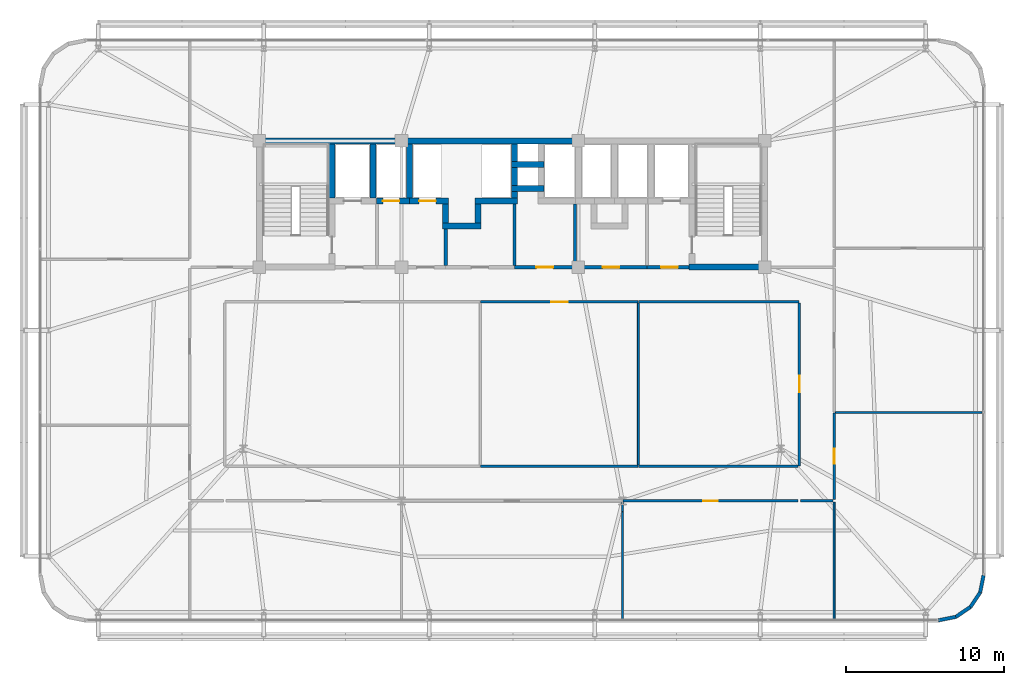
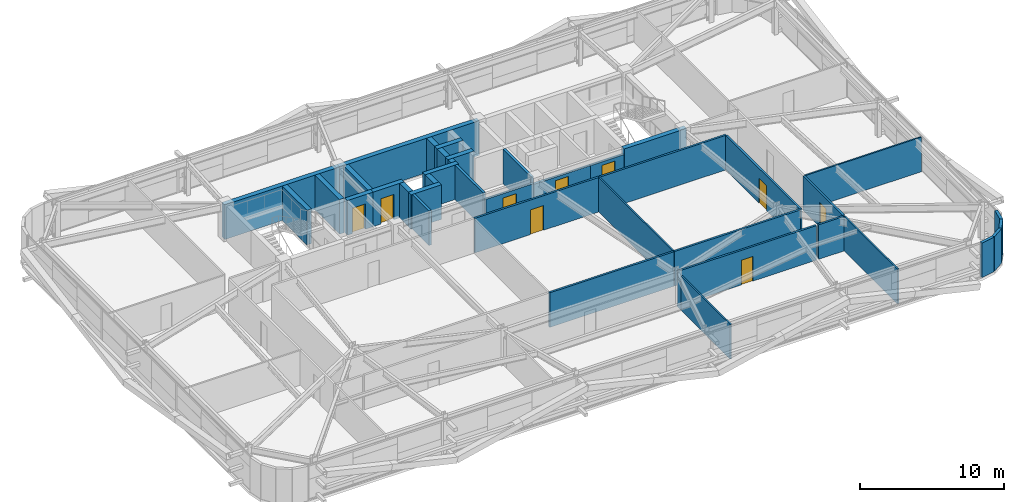
# One storey, part 40 of 44: 40 walls, 9 doors, 9 openings.
"""IFC4 building model written with IfcOpenShell, lengths in metres."""

from ifc_helpers import new_model, si_unit, direction, frame, frame_2d, origin, place, context, subcontext, project, spatial, rectangle, extrude, source, transform, mapped, material, layer, layer_set, type_object, element, fill, save


model = new_model("IFC4")

# Units and contexts
model_context = context("Model", 3, precision=1e-05, world=origin(), true_north=direction((0.0, 1.0)))
body_context = subcontext(model_context, "Body", "Model", "MODEL_VIEW")
ifc_project = project(units=[si_unit("LENGTHUNIT", "METRE"), si_unit("AREAUNIT", "SQUARE_METRE"), si_unit("VOLUMEUNIT", "CUBIC_METRE"), si_unit("PLANEANGLEUNIT", "RADIAN"), si_unit("MASSUNIT", "GRAM", prefix="KILO")], contexts=[model_context])

# Site, building, storey
site_placement = place(None, origin())
site = spatial("IfcSite", under=ifc_project, at=site_placement, CompositionType="ELEMENT")
building_placement = place(site_placement, origin())
building = spatial("IfcBuilding", under=site, at=building_placement, Name="Taldren Reach Tower", CompositionType="ELEMENT")
storey_placement = place(building_placement, frame((0.0, 0.0, 38.85009765625)))
storey = spatial("IfcBuildingStorey", under=building, at=storey_placement, Name="L11", CompositionType="ELEMENT", Elevation=38.85009765625)

# Walls
ifc_material_1 = material(Name="Pale Champagne Anodised Aluminium Cladding", Category="aluminium")
ifc_layer_1 = layer(ifc_material_1, 0.04, Name="Pale Champagne Anodised Aluminium Cladding", Category="aluminium")
ifc_material_2 = material(Name="Mineral Wool Acoustic Insulation", Category="insulation")
ifc_layer_2 = layer(ifc_material_2, 0.06, Name="Mineral Wool Acoustic Insulation", Category="insulation")
ifc_material_3 = material(Name="Steel Gr 350 (C350L0)", Category="steel")
ifc_layer_3 = layer(ifc_material_3, 0.12, Name="Steel Gr 350 (C350L0)", Category="steel")
ifc_layer_set_1 = layer_set([ifc_layer_1, ifc_layer_2, ifc_layer_3], Name="Pale Champagne Aluminium Cladding and Steel Gr 350 Stud Framing")
wall_type_1 = type_object("IfcWallType", Name="EW-CRN-220", PredefinedType="SOLIDWALL", material=ifc_layer_set_1)
shared_shape_1 = source(origin(), body_context, "Body", "SweptSolid", [
    extrude(rectangle(XDim=1.115966796875, YDim=0.219970703125, at=frame_2d((0.55810546875, 0.0))), origin(), (0.0, 0.0, 1.0), 2.929931640625),
])
for number, where, z_axis, x_axis, name in (
    (1, (62.0, 1.639892578125, 0.0), (0.0, 0.0, 1.0), (0.98077373103, 0.195148375659, 0.0), "Rounded-corner pale-metal facade wall L11-SE1"),
    (2, (63.094482421875, 1.857666015625, 0.0), (0.0, 0.0, 1.0), (0.83137650226, 0.555709556774, 0.0), "Rounded-corner pale-metal facade wall L11-SE2"),
    (3, (64.022216796875, 2.477783203125, 0.0), (0.0, 0.0, 1.0), (0.555709556774, 0.83137650226, 0.0), "Rounded-corner pale-metal facade wall L11-SE3"),
    (4, (64.642333984375, 3.405517578125, 0.0), (0.0, 0.0, 1.0), (0.195148375659, 0.98077373103, 0.0), "Rounded-corner pale-metal facade wall L11-SE4"),
):
    element("IfcWall", number, at=place(storey_placement, frame(where, z_axis=z_axis, x_axis=x_axis)), inside=storey, type_object=wall_type_1, Name=name, PredefinedType="SOLIDWALL", context=body_context, shape_type="MappedRepresentation", body=[
        mapped(shared_shape_1, transform((0.0, 0.0, 0.0), scale=1.0)),
    ])
ifc_material_4 = material(Name="Concrete S80 (80 MPa)", Category="concrete")
ifc_layer_4 = layer(ifc_material_4, 0.3798828125)
ifc_layer_set_2 = layer_set([ifc_layer_4], Name="Concrete S80 (80 MPa)")
wall_type_2 = type_object("IfcWallType", Name="IW-CORE-380", PredefinedType="SHEAR", material=ifc_layer_set_2)
shared_shape_2 = source(origin(), body_context, "Body", "SweptSolid", [
    extrude(rectangle(XDim=9.18994140625, YDim=0.3798828125, at=frame_2d((4.594970703125, 0.0))), origin(), (0.0, 0.0, 1.0), 2.929931640625),
])
wall_1_placement = place(storey_placement, frame((18.81005859375, 32.0, 0.0), z_axis=(0.0, 0.0, 1.0), x_axis=(1.0, 0.0, 0.0)))
element("IfcWall", 5, at=wall_1_placement, inside=storey, type_object=wall_type_2, Name="Rear Core Shear Wall W-CORE-L11-NORTH1", PredefinedType="SHEAR", context=body_context, shape_type="MappedRepresentation", body=[
    mapped(shared_shape_2, transform((0.0, 0.0, 0.0), scale=1.0)),
])
shared_shape_3 = source(origin(), body_context, "Body", "SweptSolid", [
    extrude(rectangle(XDim=11.199951171875, YDim=0.3798828125, at=frame_2d((5.60009765625, 0.0))), origin(), (0.0, 0.0, 1.0), 2.929931640625),
])
wall_2_placement = place(storey_placement, frame((28.0, 32.0, 0.0), z_axis=(0.0, 0.0, 1.0), x_axis=(1.0, 0.0, 0.0)))
element("IfcWall", 6, at=wall_2_placement, inside=storey, type_object=wall_type_2, Name="Rear Core Shear Wall W-CORE-L11-NORTH2", PredefinedType="SHEAR", context=body_context, shape_type="MappedRepresentation", body=[
    mapped(shared_shape_3, transform((0.0, 0.0, 0.0), scale=1.0)),
])
shared_shape_4 = source(origin(), body_context, "Body", "SweptSolid", [
    extrude(rectangle(XDim=3.420166015625, YDim=0.3798828125, at=frame_2d((1.7099609375, 0.0))), origin(), (0.0, 0.0, 1.0), 2.929931640625),
])
for number, where, z_axis, x_axis, name in (
    (7, (23.60009765625, 28.389892578125, 0.0), (0.0, 0.0, 1.0), (0.0, 1.0, 0.0), "Rear Core Shear Wall W-INT-L11-001"),
    (8, (26.199951171875, 28.389892578125, 0.0), (0.0, 0.0, 1.0), (0.0, 1.0, 0.0), "Rear Core Shear Wall W-INT-L11-005"),
    (9, (28.5, 28.389892578125, 0.0), (0.0, 0.0, 1.0), (0.0, 1.0, 0.0), "Rear Core Shear Wall W-INT-L11-029"),
):
    element("IfcWall", number, at=place(storey_placement, frame(where, z_axis=z_axis, x_axis=x_axis)), inside=storey, type_object=wall_type_2, Name=name, PredefinedType="SHEAR", context=body_context, shape_type="MappedRepresentation", body=[
        mapped(shared_shape_4, transform((0.0, 0.0, 0.0), scale=1.0)),
    ])
shared_shape_5 = source(origin(), body_context, "Body", "SweptSolid", [
    extrude(rectangle(XDim=4.97998046875, YDim=0.3798828125, at=frame_2d((2.489990234375, 0.0))), origin(), (0.0, 0.0, 1.0), 2.929931640625),
])
wall_3_placement = place(storey_placement, frame((46.2099609375, 24.0, 0.0), z_axis=(0.0, 0.0, 1.0), x_axis=(1.0, 0.0, 0.0)))
element("IfcWall", 10, at=wall_3_placement, inside=storey, type_object=wall_type_2, Name="Rear Core Shear Wall W-INT-L11-010", PredefinedType="SHEAR", context=body_context, shape_type="MappedRepresentation", body=[
    mapped(shared_shape_5, transform((0.0, 0.0, 0.0), scale=1.0)),
])
ifc_material_5 = material(Name="Concrete S50 (50 MPa)", Category="concrete")
ifc_layer_5 = layer(ifc_material_5, 0.199951171875)
ifc_layer_set_3 = layer_set([ifc_layer_5], Name="Concrete S50 (50 MPa)")
wall_type_3 = type_object("IfcWallType", Name="IW-CORE-200", PredefinedType="SOLIDWALL", material=ifc_layer_set_3)
shared_shape_6 = source(origin(), body_context, "Body", "SweptSolid", [
    extrude(rectangle(XDim=3.909912109375, YDim=0.199951171875, at=frame_2d((1.955078125, 0.0))), origin(), (0.0, 0.0, 1.0), 2.929931640625),
])
for number, where, z_axis, x_axis, name in (
    (11, (35.14990234375, 28.010009765625, 0.0), (0.0, 0.0, 1.0), (0.0, -1.0, 0.0), "Rear Core Shear Wall W-INT-L11-042"),
    (12, (39.0, 28.010009765625, 0.0), (0.0, 0.0, 1.0), (0.0, -1.0, 0.0), "Rear Core Shear Wall W-INT-L11-044"),
):
    element("IfcWall", number, at=place(storey_placement, frame(where, z_axis=z_axis, x_axis=x_axis)), inside=storey, type_object=wall_type_3, Name=name, PredefinedType="SOLIDWALL", context=body_context, shape_type="MappedRepresentation", body=[
        mapped(shared_shape_6, transform((0.0, 0.0, 0.0), scale=1.0)),
    ])

# Wall, opening, door
shared_shape_7 = source(origin(), body_context, "Body", "SweptSolid", [
    extrude(rectangle(XDim=2.659912109375, YDim=0.199951171875, at=frame_2d((1.330078125, 0.0))), origin(), (0.0, 0.0, 1.0), 2.39697265625),
])
wall_4_placement = place(storey_placement, frame((43.550048828125, 24.0, 0.0), z_axis=(0.0, 0.0, 1.0), x_axis=(1.0, 0.0, 0.0)))
wall_4 = element("IfcWall", 13, at=wall_4_placement, inside=storey, type_object=wall_type_3, Name="Rear Core Shear Wall W-INT-L11-014", PredefinedType="SOLIDWALL", context=body_context, shape_type="MappedRepresentation", body=[
    mapped(shared_shape_7, transform((0.0, 0.0, 0.0), scale=1.0)),
])
shared_shape_8 = source(origin(), body_context, "Body", "SweptSolid", [
    extrude(rectangle(XDim=1.050048828125, YDim=2.10009765625, at=frame_2d((0.52490234375, 1.050048828125))), frame((0.0, 0.10986328125, 0.0), z_axis=(0.0, -1.0, 0.0), x_axis=(1.0, 0.0, 0.0)), (0.0, 0.0, 1.0), 0.219970703125),
])
opening_1_placement = place(wall_4_placement, frame((0.89990234375, 0.0, 0.0)))
opening_1 = element("IfcOpeningElement", 14, at=opening_1_placement, cuts=wall_4, Name="Opening DF-105", PredefinedType="OPENING", context=body_context, shape_type="MappedRepresentation", body=[
    mapped(shared_shape_8, transform((0.0, 0.0, 0.0), scale=1.0)),
])
ifc_material_6 = material(Name="Fire-Rated Care and Stair Exit Door")
door_type_1 = type_object("IfcDoorType", Name="ID-FIRE-105", OperationType="NOTDEFINED", PredefinedType="DOOR", material=ifc_material_6)
shared_shape_9 = source(origin(), body_context, "Body", "SweptSolid", [
    extrude(rectangle(XDim=1.050048828125, YDim=2.10009765625, at=frame_2d((0.52490234375, 1.050048828125))), frame((0.0, 0.02490234375, 0.0), z_axis=(0.0, -1.0, 0.0), x_axis=(1.0, 0.0, 0.0)), (0.0, 0.0, 1.0), 0.050048828125),
])
door_1_placement = place(opening_1_placement, origin())
door_1 = element("IfcDoor", 15, at=door_1_placement, inside=storey, type_object=door_type_1, Name="Interior Door DR-L11-004", OperationType="SINGLE_SWING_LEFT", OverallHeight=2.10009765625, OverallWidth=1.050048828125, PredefinedType="DOOR", context=body_context, shape_type="MappedRepresentation", body=[
    mapped(shared_shape_9, transform((0.0, 0.0, 0.0), scale=1.0)),
])
fill(opening_1, door_1)

# Walls
shared_shape_10 = source(origin(), body_context, "Body", "SweptSolid", [
    extrude(rectangle(XDim=2.080078125, YDim=0.3798828125, at=frame_2d((1.0400390625, 0.0))), origin(), (0.0, 0.0, 1.0), 2.929931640625),
])
for number, where, z_axis, x_axis, name in (
    (16, (34.9599609375, 30.5, 0.0), (0.0, 0.0, 1.0), (1.0, 0.0, 0.0), "Rear Core Shear Wall W-INT-L11-015"),
    (17, (34.9599609375, 29.0, 0.0), (0.0, 0.0, 1.0), (1.0, 0.0, 0.0), "Rear Core Shear Wall W-INT-L11-020"),
):
    element("IfcWall", number, at=place(storey_placement, frame(where, z_axis=z_axis, x_axis=x_axis)), inside=storey, type_object=wall_type_2, Name=name, PredefinedType="SHEAR", context=body_context, shape_type="MappedRepresentation", body=[
        mapped(shared_shape_10, transform((0.0, 0.0, 0.0), scale=1.0)),
    ])
shared_shape_11 = source(origin(), body_context, "Body", "SweptSolid", [
    extrude(rectangle(XDim=1.1201171875, YDim=0.3798828125, at=frame_2d((0.56005859375, 0.0))), origin(), (0.0, 0.0, 1.0), 2.929931640625),
])
for number, where, z_axis, x_axis, name in (
    (18, (35.14990234375, 31.81005859375, 0.0), (0.0, 0.0, 1.0), (0.0, -1.0, 0.0), "Rear Core Shear Wall W-INT-L11-016"),
    (19, (35.14990234375, 30.31005859375, 0.0), (0.0, 0.0, 1.0), (0.0, -1.0, 0.0), "Rear Core Shear Wall W-INT-L11-018"),
):
    element("IfcWall", number, at=place(storey_placement, frame(where, z_axis=z_axis, x_axis=x_axis)), inside=storey, type_object=wall_type_2, Name=name, PredefinedType="SHEAR", context=body_context, shape_type="MappedRepresentation", body=[
        mapped(shared_shape_11, transform((0.0, 0.0, 0.0), scale=1.0)),
    ])
shared_shape_12 = source(origin(), body_context, "Body", "SweptSolid", [
    extrude(rectangle(XDim=1.219970703125, YDim=0.3798828125, at=frame_2d((0.60986328125, 0.0))), origin(), (0.0, 0.0, 1.0), 2.929931640625),
])
for number, where, z_axis, x_axis, name in (
    (20, (30.800048828125, 28.010009765625, 0.0), (0.0, 0.0, 1.0), (0.0, -1.0, 0.0), "Rear Core Shear Wall W-INT-L11-021"),
    (21, (32.85009765625, 26.7900390625, 0.0), (0.0, 0.0, 1.0), (0.0, 1.0, 0.0), "Rear Core Shear Wall W-INT-L11-023"),
):
    element("IfcWall", number, at=place(storey_placement, frame(where, z_axis=z_axis, x_axis=x_axis)), inside=storey, type_object=wall_type_2, Name=name, PredefinedType="SHEAR", context=body_context, shape_type="MappedRepresentation", body=[
        mapped(shared_shape_12, transform((0.0, 0.0, 0.0), scale=1.0)),
    ])
shared_shape_13 = source(origin(), body_context, "Body", "SweptSolid", [
    extrude(rectangle(XDim=2.429931640625, YDim=0.3798828125, at=frame_2d((1.21484375, 0.0))), origin(), (0.0, 0.0, 1.0), 2.929931640625),
])
wall_5_placement = place(storey_placement, frame((30.610107421875, 26.60009765625, 0.0), z_axis=(0.0, 0.0, 1.0), x_axis=(1.0, 0.0, 0.0)))
element("IfcWall", 22, at=wall_5_placement, inside=storey, type_object=wall_type_2, Name="Rear Core Shear Wall W-INT-L11-022", PredefinedType="SHEAR", context=body_context, shape_type="MappedRepresentation", body=[
    mapped(shared_shape_13, transform((0.0, 0.0, 0.0), scale=1.0)),
])

# Wall, opening, door
shared_shape_14 = source(origin(), body_context, "Body", "SweptSolid", [
    extrude(rectangle(XDim=2.070068359375, YDim=0.3798828125, at=frame_2d((1.03515625, 0.0))), origin(), (0.0, 0.0, 1.0), 2.929931640625),
])
wall_6_placement = place(storey_placement, frame((26.429931640625, 28.199951171875, 0.0), z_axis=(0.0, 0.0, 1.0), x_axis=(1.0, 0.0, 0.0)))
wall_6 = element("IfcWall", 23, at=wall_6_placement, inside=storey, type_object=wall_type_2, Name="Rear Core Shear Wall W-INT-L11-030", PredefinedType="SHEAR", context=body_context, shape_type="MappedRepresentation", body=[
    mapped(shared_shape_14, transform((0.0, 0.0, 0.0), scale=1.0)),
])
shared_shape_15 = source(origin(), body_context, "Body", "SweptSolid", [
    extrude(rectangle(XDim=1.050048828125, YDim=2.14990234375, at=frame_2d((0.52490234375, 1.074951171875))), frame((0.0, 0.199951171875, 0.0), z_axis=(0.0, -1.0, 0.0), x_axis=(1.0, 0.0, 0.0)), (0.0, 0.0, 1.0), 0.39990234375),
])
opening_2_placement = place(wall_6_placement, frame((0.39501953125, 0.0, 0.0)))
opening_2 = element("IfcOpeningElement", 24, at=opening_2_placement, cuts=wall_6, Name="Opening LD-PL1", PredefinedType="OPENING", context=body_context, shape_type="MappedRepresentation", body=[
    mapped(shared_shape_15, transform((0.0, 0.0, 0.0), scale=1.0)),
])
ifc_material_7 = material(Name="Stainless Steel Gr 316 Passenger Lift Landing Door", Category="steel")
door_type_2 = type_object("IfcDoorType", Name="LD-PAS-105", OperationType="SLIDING_TO_LEFT", PredefinedType="DOOR", material=ifc_material_7)
shared_shape_16 = source(origin(), body_context, "Body", "SweptSolid", [
    extrude(rectangle(XDim=1.050048828125, YDim=2.14990234375, at=frame_2d((0.52490234375, 1.074951171875))), frame((0.0, 0.02490234375, 0.0), z_axis=(0.0, -1.0, 0.0), x_axis=(1.0, 0.0, 0.0)), (0.0, 0.0, 1.0), 0.050048828125),
])
door_2_placement = place(opening_2_placement, origin())
door_2 = element("IfcDoor", 25, at=door_2_placement, inside=storey, type_object=door_type_2, Name="Lift Landing Door LD-PL1-L11", OperationType="SLIDING_TO_LEFT", OverallHeight=2.14990234375, OverallWidth=1.050048828125, PredefinedType="DOOR", context=body_context, shape_type="MappedRepresentation", body=[
    mapped(shared_shape_16, transform((0.0, 0.0, 0.0), scale=1.0)),
])
fill(opening_2, door_2)

shared_shape_17 = source(origin(), body_context, "Body", "SweptSolid", [
    extrude(rectangle(XDim=2.489990234375, YDim=0.3798828125, at=frame_2d((1.2451171875, 0.0))), origin(), (0.0, 0.0, 1.0), 2.929931640625),
])
wall_7_placement = place(storey_placement, frame((28.5, 28.199951171875, 0.0), z_axis=(0.0, 0.0, 1.0), x_axis=(1.0, 0.0, 0.0)))
wall_7 = element("IfcWall", 26, at=wall_7_placement, inside=storey, type_object=wall_type_2, Name="Rear Core Shear Wall W-INT-L11-031", PredefinedType="SHEAR", context=body_context, shape_type="MappedRepresentation", body=[
    mapped(shared_shape_17, transform((0.0, 0.0, 0.0), scale=1.0)),
])
opening_3_placement = place(wall_7_placement, frame((0.625, 0.0, 0.0)))
opening_3 = element("IfcOpeningElement", 27, at=opening_3_placement, cuts=wall_7, Name="Opening LD-PL2", PredefinedType="OPENING", context=body_context, shape_type="MappedRepresentation", body=[
    mapped(shared_shape_15, transform((0.0, 0.0, 0.0), scale=1.0)),
])
door_3_placement = place(opening_3_placement, origin())
door_3 = element("IfcDoor", 28, at=door_3_placement, inside=storey, type_object=door_type_2, Name="Lift Landing Door LD-PL2-L11", OperationType="SLIDING_TO_LEFT", OverallHeight=2.14990234375, OverallWidth=1.050048828125, PredefinedType="DOOR", context=body_context, shape_type="MappedRepresentation", body=[
    mapped(shared_shape_16, transform((0.0, 0.0, 0.0), scale=1.0)),
])
fill(opening_3, door_3)

# Walls
shared_shape_18 = source(origin(), body_context, "Body", "SweptSolid", [
    extrude(rectangle(XDim=2.309814453125, YDim=0.199951171875, at=frame_2d((1.15478515625, 0.0))), origin(), (0.0, 0.0, 1.0), 2.929931640625),
])
wall_8_placement = place(storey_placement, frame((30.800048828125, 26.409912109375, 0.0), z_axis=(0.0, 0.0, 1.0), x_axis=(0.0, -1.0, 0.0)))
element("IfcWall", 29, at=wall_8_placement, inside=storey, type_object=wall_type_3, Name="Rear Core Shear Wall W-INT-L11-032", PredefinedType="SOLIDWALL", context=body_context, shape_type="MappedRepresentation", body=[
    mapped(shared_shape_18, transform((0.0, 0.0, 0.0), scale=1.0)),
])
shared_shape_19 = source(origin(), body_context, "Body", "SweptSolid", [
    extrude(rectangle(XDim=2.68017578125, YDim=0.3798828125, at=frame_2d((1.340087890625, 0.0))), origin(), (0.0, 0.0, 1.0), 2.929931640625),
])
wall_9_placement = place(storey_placement, frame((32.659912109375, 28.199951171875, 0.0), z_axis=(0.0, 0.0, 1.0), x_axis=(1.0, 0.0, 0.0)))
element("IfcWall", 30, at=wall_9_placement, inside=storey, type_object=wall_type_2, Name="Rear Core Shear Wall W-INT-L11-034", PredefinedType="SHEAR", context=body_context, shape_type="MappedRepresentation", body=[
    mapped(shared_shape_19, transform((0.0, 0.0, 0.0), scale=1.0)),
])
shared_shape_20 = source(origin(), body_context, "Body", "SweptSolid", [
    extrude(rectangle(XDim=0.420166015625, YDim=0.3798828125, at=frame_2d((0.2099609375, 0.0))), origin(), (0.0, 0.0, 1.0), 2.929931640625),
])
wall_10_placement = place(storey_placement, frame((35.14990234375, 28.389892578125, 0.0), z_axis=(0.0, 0.0, 1.0), x_axis=(0.0, 1.0, 0.0)))
element("IfcWall", 31, at=wall_10_placement, inside=storey, type_object=wall_type_2, Name="Rear Core Shear Wall W-INT-L11-035", PredefinedType="SHEAR", context=body_context, shape_type="MappedRepresentation", body=[
    mapped(shared_shape_20, transform((0.0, 0.0, 0.0), scale=1.0)),
])

# Wall, opening, door
ifc_material_8 = material(Name="Fire-Rated Acoustic Plasterboard Stud Wall", Category="gypsum")
ifc_layer_6 = layer(ifc_material_8, 0.159912109375)
ifc_layer_set_4 = layer_set([ifc_layer_6], Name="Fire-Rated Acoustic Plasterboard Stud Wall")
wall_type_4 = type_object("IfcWallType", Name="IW-FIRE-160", PredefinedType="PARTITIONING", material=ifc_layer_set_4)
shared_shape_21 = source(origin(), body_context, "Body", "SweptSolid", [
    extrude(rectangle(XDim=10.2998046875, YDim=0.159912109375, at=frame_2d((5.14990234375, 0.0))), origin(), (0.0, 0.0, 1.0), 2.929931640625),
])
wall_11_placement = place(storey_placement, frame((53.199951171875, 11.420166015625, 0.0), z_axis=(0.0, 0.0, 1.0), x_axis=(0.0, 1.0, 0.0)))
wall_11 = element("IfcWall", 32, at=wall_11_placement, inside=storey, type_object=wall_type_4, Name="Interior Partition Wall W-INT-L11-050", PredefinedType="PARTITIONING", context=body_context, shape_type="MappedRepresentation", body=[
    mapped(shared_shape_21, transform((0.0, 0.0, 0.0), scale=1.0)),
])
shared_shape_22 = source(origin(), body_context, "Body", "SweptSolid", [
    extrude(rectangle(XDim=1.050048828125, YDim=2.10009765625, at=frame_2d((0.52490234375, 1.050048828125))), frame((0.0, 0.08984375, 0.0), z_axis=(0.0, -1.0, 0.0), x_axis=(1.0, 0.0, 0.0)), (0.0, 0.0, 1.0), 0.179931640625),
])
opening_4_placement = place(wall_11_placement, frame((4.65478515625, 0.0, 0.0)))
opening_4 = element("IfcOpeningElement", 33, at=opening_4_placement, cuts=wall_11, Name="Opening DF-105", PredefinedType="OPENING", context=body_context, shape_type="MappedRepresentation", body=[
    mapped(shared_shape_22, transform((0.0, 0.0, 0.0), scale=1.0)),
])
door_4_placement = place(opening_4_placement, origin())
door_4 = element("IfcDoor", 34, at=door_4_placement, inside=storey, type_object=door_type_1, Name="Interior Door DR-L11-011", OperationType="SINGLE_SWING_RIGHT", OverallHeight=2.10009765625, OverallWidth=1.050048828125, PredefinedType="DOOR", context=body_context, shape_type="MappedRepresentation", body=[
    mapped(shared_shape_9, transform((0.0, 0.0, 0.0), scale=1.0)),
])
fill(opening_4, door_4)

# Wall
shared_shape_23 = source(origin(), body_context, "Body", "SweptSolid", [
    extrude(rectangle(XDim=2.0400390625, YDim=0.159912109375, at=frame_2d((1.02001953125, 0.0))), origin(), (0.0, 0.0, 1.0), 2.929931640625),
])
wall_12_placement = place(storey_placement, frame((55.320068359375, 9.199951171875, 0.0), z_axis=(0.0, 0.0, 1.0), x_axis=(-1.0, 0.0, 0.0)))
element("IfcWall", 35, at=wall_12_placement, inside=storey, type_object=wall_type_4, Name="Interior Partition Wall W-INT-L11-053", PredefinedType="PARTITIONING", context=body_context, shape_type="MappedRepresentation", body=[
    mapped(shared_shape_23, transform((0.0, 0.0, 0.0), scale=1.0)),
])

# Wall, opening, door
shared_shape_24 = source(origin(), body_context, "Body", "SweptSolid", [
    extrude(rectangle(XDim=11.099853515625, YDim=0.159912109375, at=frame_2d((5.5498046875, 0.0))), origin(), (0.0, 0.0, 1.0), 2.929931640625),
])
wall_13_placement = place(storey_placement, frame((53.1201171875, 9.199951171875, 0.0), z_axis=(0.0, 0.0, 1.0), x_axis=(-1.0, 0.0, 0.0)))
wall_13 = element("IfcWall", 36, at=wall_13_placement, inside=storey, type_object=wall_type_4, Name="Interior Partition Wall W-INT-L11-065", PredefinedType="PARTITIONING", context=body_context, shape_type="MappedRepresentation", body=[
    mapped(shared_shape_24, transform((0.0, 0.0, 0.0), scale=1.0)),
])
shared_shape_25 = source(origin(), body_context, "Body", "SweptSolid", [
    extrude(rectangle(XDim=0.919921875, YDim=2.10009765625, at=frame_2d((0.4599609375, 1.050048828125))), frame((0.0, 0.08984375, 0.0), z_axis=(0.0, -1.0, 0.0), x_axis=(1.0, 0.0, 0.0)), (0.0, 0.0, 1.0), 0.179931640625),
])
opening_5_placement = place(wall_13_placement, frame((5.08984375, 0.0, 0.0)))
opening_5 = element("IfcOpeningElement", 37, at=opening_5_placement, cuts=wall_13, Name="Opening DI-092", PredefinedType="OPENING", context=body_context, shape_type="MappedRepresentation", body=[
    mapped(shared_shape_25, transform((0.0, 0.0, 0.0), scale=1.0)),
])
ifc_material_9 = material(Name="Solid-Core Timber Suite Door", Category="wood")
door_type_3 = type_object("IfcDoorType", Name="ID-INT-092", OperationType="NOTDEFINED", PredefinedType="DOOR", material=ifc_material_9)
shared_shape_26 = source(origin(), body_context, "Body", "SweptSolid", [
    extrude(rectangle(XDim=0.919921875, YDim=2.10009765625, at=frame_2d((0.4599609375, 1.050048828125))), frame((0.0, 0.02490234375, 0.0), z_axis=(0.0, -1.0, 0.0), x_axis=(1.0, 0.0, 0.0)), (0.0, 0.0, 1.0), 0.050048828125),
])
door_5_placement = place(opening_5_placement, origin())
door_5 = element("IfcDoor", 38, at=door_5_placement, inside=storey, type_object=door_type_3, Name="Interior Door DR-L11-019", OperationType="SINGLE_SWING_RIGHT", OverallHeight=2.10009765625, OverallWidth=0.919921875, PredefinedType="DOOR", context=body_context, shape_type="MappedRepresentation", body=[
    mapped(shared_shape_26, transform((0.0, 0.0, 0.0), scale=1.0)),
])
fill(opening_5, door_5)

shared_shape_27 = source(origin(), body_context, "Body", "SweptSolid", [
    extrude(rectangle(XDim=3.85009765625, YDim=0.199951171875, at=frame_2d((1.925048828125, 0.0))), origin(), (0.0, 0.0, 1.0), 2.469970703125),
])
wall_14_placement = place(storey_placement, frame((39.0, 24.0, 0.0), z_axis=(0.0, 0.0, 1.0), x_axis=(-1.0, 0.0, 0.0)))
wall_14 = element("IfcWall", 39, at=wall_14_placement, inside=storey, type_object=wall_type_3, Name="Rear Core Shear Wall W-INT-L11-045", PredefinedType="SOLIDWALL", context=body_context, shape_type="MappedRepresentation", body=[
    mapped(shared_shape_27, transform((0.0, 0.0, 0.0), scale=1.0)),
])
opening_6_placement = place(wall_14_placement, frame((1.39990234375, 0.0, 0.0)))
opening_6 = element("IfcOpeningElement", 40, at=opening_6_placement, cuts=wall_14, Name="Opening DF-105", PredefinedType="OPENING", context=body_context, shape_type="MappedRepresentation", body=[
    mapped(shared_shape_8, transform((0.0, 0.0, 0.0), scale=1.0)),
])
door_6_placement = place(opening_6_placement, frame((1.050048828125, 0.0, 0.0), z_axis=(0.0, 0.0, 1.0), x_axis=(-1.0, 0.0, 0.0)))
door_6 = element("IfcDoor", 41, at=door_6_placement, inside=storey, type_object=door_type_1, Name="Interior Door DR-L11-007", OperationType="SINGLE_SWING_LEFT", OverallHeight=2.10009765625, OverallWidth=1.050048828125, PredefinedType="DOOR", context=body_context, shape_type="MappedRepresentation", body=[
    mapped(shared_shape_9, transform((0.0, 0.0, 0.0), scale=1.0)),
])
fill(opening_6, door_6)

shared_shape_28 = source(origin(), body_context, "Body", "SweptSolid", [
    extrude(rectangle(XDim=4.550048828125, YDim=0.199951171875, at=frame_2d((2.27490234375, 0.0))), origin(), (0.0, 0.0, 1.0), 2.39697265625),
])
wall_15_placement = place(storey_placement, frame((43.550048828125, 24.0, 0.0), z_axis=(0.0, 0.0, 1.0), x_axis=(-1.0, 0.0, 0.0)))
wall_15 = element("IfcWall", 42, at=wall_15_placement, inside=storey, type_object=wall_type_3, Name="Rear Core Shear Wall W-INT-L11-046", PredefinedType="SOLIDWALL", context=body_context, shape_type="MappedRepresentation", body=[
    mapped(shared_shape_28, transform((0.0, 0.0, 0.0), scale=1.0)),
])
opening_7_placement = place(wall_15_placement, frame((1.75, 0.0, 0.0)))
opening_7 = element("IfcOpeningElement", 43, at=opening_7_placement, cuts=wall_15, Name="Opening DF-105", PredefinedType="OPENING", context=body_context, shape_type="MappedRepresentation", body=[
    mapped(shared_shape_8, transform((0.0, 0.0, 0.0), scale=1.0)),
])
door_7_placement = place(opening_7_placement, frame((1.050048828125, 0.0, 0.0), z_axis=(0.0, 0.0, 1.0), x_axis=(-1.0, 0.0, 0.0)))
door_7 = element("IfcDoor", 44, at=door_7_placement, inside=storey, type_object=door_type_1, Name="Interior Door DR-L11-008", OperationType="SINGLE_SWING_RIGHT", OverallHeight=2.10009765625, OverallWidth=1.050048828125, PredefinedType="DOOR", context=body_context, shape_type="MappedRepresentation", body=[
    mapped(shared_shape_9, transform((0.0, 0.0, 0.0), scale=1.0)),
])
fill(opening_7, door_7)

# Wall
ifc_material_10 = material(Name="Insulated Residential Stud Partition", Category="gypsum")
ifc_layer_7 = layer(ifc_material_10, 0.1201171875)
ifc_layer_set_5 = layer_set([ifc_layer_7], Name="Insulated Residential Stud Partition")
wall_type_5 = type_object("IfcWallType", Name="IW-PART-120", PredefinedType="PARTITIONING", material=ifc_layer_set_5)
shared_shape_29 = source(origin(), body_context, "Body", "SweptSolid", [
    extrude(rectangle(XDim=9.2900390625, YDim=0.1201171875, at=frame_2d((4.64501953125, 0.0))), origin(), (0.0, 0.0, 1.0), 2.929931640625),
])
wall_16_placement = place(storey_placement, frame((55.47998046875, 14.800048828125, 0.0), z_axis=(0.0, 0.0, 1.0), x_axis=(1.0, 0.0, 0.0)))
element("IfcWall", 45, at=wall_16_placement, inside=storey, type_object=wall_type_5, Name="Interior Partition Wall W-INT-L11-075", PredefinedType="PARTITIONING", context=body_context, shape_type="MappedRepresentation", body=[
    mapped(shared_shape_29, transform((0.0, 0.0, 0.0), scale=1.0)),
])

# Wall, opening, door
shared_shape_30 = source(origin(), body_context, "Body", "SweptSolid", [
    extrude(rectangle(XDim=9.95947265625, YDim=0.159912109375, at=frame_2d((4.979736328125, 0.0))), origin(), (0.0, 0.0, 1.0), 2.929931640625),
])
wall_17_placement = place(storey_placement, frame((42.979736328125, 21.800048828125, 0.0), z_axis=(0.0, 0.0, 1.0), x_axis=(-1.0, 0.0, 0.0)))
wall_17 = element("IfcWall", 46, at=wall_17_placement, inside=storey, type_object=wall_type_4, Name="Interior Partition Wall W-INT-L11-049", PredefinedType="PARTITIONING", context=body_context, shape_type="MappedRepresentation", body=[
    mapped(shared_shape_30, transform((0.0, 0.0, 0.0), scale=1.0)),
])
opening_8_placement = place(wall_17_placement, frame((4.454833984375, 0.0, 0.0)))
opening_8 = element("IfcOpeningElement", 47, at=opening_8_placement, cuts=wall_17, Name="Opening DF-105", PredefinedType="OPENING", context=body_context, shape_type="MappedRepresentation", body=[
    mapped(shared_shape_22, transform((0.0, 0.0, 0.0), scale=1.0)),
])
door_8_placement = place(opening_8_placement, origin())
door_8 = element("IfcDoor", 48, at=door_8_placement, inside=storey, type_object=door_type_1, Name="Interior Door DR-L11-010", OperationType="SINGLE_SWING_LEFT", OverallHeight=2.10009765625, OverallWidth=1.050048828125, PredefinedType="DOOR", context=body_context, shape_type="MappedRepresentation", body=[
    mapped(shared_shape_9, transform((0.0, 0.0, 0.0), scale=1.0)),
])
fill(opening_8, door_8)

# Walls
wall_18_placement = place(storey_placement, frame((33.020263671875, 11.39990234375, 0.0), z_axis=(0.0, 0.0, 1.0), x_axis=(1.0, 0.0, 0.0)))
element("IfcWall", 49, at=wall_18_placement, inside=storey, type_object=wall_type_4, Name="Interior Partition Wall W-INT-L11-061", PredefinedType="PARTITIONING", context=body_context, shape_type="MappedRepresentation", body=[
    mapped(shared_shape_30, transform((0.0, 0.0, 0.0), scale=1.0)),
])
shared_shape_31 = source(origin(), body_context, "Body", "SweptSolid", [
    extrude(rectangle(XDim=10.239990234375, YDim=0.1201171875, at=frame_2d((5.1201171875, 0.0))), origin(), (0.0, 0.0, 1.0), 2.929931640625),
])
wall_19_placement = place(storey_placement, frame((43.0, 21.719970703125, 0.0), z_axis=(0.0, 0.0, 1.0), x_axis=(0.0, -1.0, 0.0)))
element("IfcWall", 50, at=wall_19_placement, inside=storey, type_object=wall_type_5, Name="Interior Partition Wall W-INT-L11-067", PredefinedType="PARTITIONING", context=body_context, shape_type="MappedRepresentation", body=[
    mapped(shared_shape_31, transform((0.0, 0.0, 0.0), scale=1.0)),
])
shared_shape_32 = source(origin(), body_context, "Body", "SweptSolid", [
    extrude(rectangle(XDim=10.159423828125, YDim=0.159912109375, at=frame_2d((5.07958984375, 0.0))), origin(), (0.0, 0.0, 1.0), 2.929931640625),
])
wall_20_placement = place(storey_placement, frame((53.1796875, 21.800048828125, 0.0), z_axis=(0.0, 0.0, 1.0), x_axis=(-1.0, 0.0, 0.0)))
element("IfcWall", 51, at=wall_20_placement, inside=storey, type_object=wall_type_4, Name="Interior Partition Wall W-INT-L11-051", PredefinedType="PARTITIONING", context=body_context, shape_type="MappedRepresentation", body=[
    mapped(shared_shape_32, transform((0.0, 0.0, 0.0), scale=1.0)),
])

# Wall, opening, door
shared_shape_33 = source(origin(), body_context, "Body", "SweptSolid", [
    extrude(rectangle(XDim=5.499755859375, YDim=0.159912109375, at=frame_2d((2.75, 0.0))), origin(), (0.0, 0.0, 1.0), 2.929931640625),
])
wall_21_placement = place(storey_placement, frame((55.39990234375, 14.77978515625, 0.0), z_axis=(0.0, 0.0, 1.0), x_axis=(0.0, -1.0, 0.0)))
wall_21 = element("IfcWall", 52, at=wall_21_placement, inside=storey, type_object=wall_type_4, Name="Interior Partition Wall W-INT-L11-056", PredefinedType="PARTITIONING", context=body_context, shape_type="MappedRepresentation", body=[
    mapped(shared_shape_33, transform((0.0, 0.0, 0.0), scale=1.0)),
])
opening_9_placement = place(wall_21_placement, frame((2.289794921875, 0.0, 0.0)))
opening_9 = element("IfcOpeningElement", 53, at=opening_9_placement, cuts=wall_21, Name="Opening DI-092", PredefinedType="OPENING", context=body_context, shape_type="MappedRepresentation", body=[
    mapped(shared_shape_25, transform((0.0, 0.0, 0.0), scale=1.0)),
])
door_9_placement = place(opening_9_placement, origin())
door_9 = element("IfcDoor", 54, at=door_9_placement, inside=storey, type_object=door_type_3, Name="Interior Door DR-L11-014", OperationType="SINGLE_SWING_LEFT", OverallHeight=2.10009765625, OverallWidth=0.919921875, PredefinedType="DOOR", context=body_context, shape_type="MappedRepresentation", body=[
    mapped(shared_shape_26, transform((0.0, 0.0, 0.0), scale=1.0)),
])
fill(opening_9, door_9)

# Walls
shared_shape_34 = source(origin(), body_context, "Body", "SweptSolid", [
    extrude(rectangle(XDim=10.099853515625, YDim=0.159912109375, at=frame_2d((5.0498046875, 0.0))), origin(), (0.0, 0.0, 1.0), 2.929931640625),
])
wall_22_placement = place(storey_placement, frame((43.020263671875, 11.39990234375, 0.0), z_axis=(0.0, 0.0, 1.0), x_axis=(1.0, 0.0, 0.0)))
element("IfcWall", 55, at=wall_22_placement, inside=storey, type_object=wall_type_4, Name="Interior Partition Wall W-INT-L11-062", PredefinedType="PARTITIONING", context=body_context, shape_type="MappedRepresentation", body=[
    mapped(shared_shape_34, transform((0.0, 0.0, 0.0), scale=1.0)),
])
shared_shape_35 = source(origin(), body_context, "Body", "SweptSolid", [
    extrude(rectangle(XDim=0.589599609375, YDim=0.1201171875, at=frame_2d((0.294921875, 0.0))), origin(), (0.0, 0.0, 1.0), 2.39697265625),
])
wall_23_placement = place(storey_placement, frame((42.0, 9.117919921875, 0.0), z_axis=(0.0, 0.0, 1.0), x_axis=(0.0, -1.0, 0.0)))
element("IfcWall", 56, at=wall_23_placement, inside=storey, type_object=wall_type_5, Name="Interior Partition Wall W-INT-L11-070", PredefinedType="PARTITIONING", context=body_context, shape_type="MappedRepresentation", body=[
    mapped(shared_shape_35, transform((0.0, 0.0, 0.0), scale=1.0)),
])
shared_shape_36 = source(origin(), body_context, "Body", "SweptSolid", [
    extrude(rectangle(XDim=6.79638671875, YDim=0.1201171875, at=frame_2d((3.398193359375, 0.0))), origin(), (0.0, 0.0, 1.0), 2.929931640625),
])
wall_24_placement = place(storey_placement, frame((42.0, 8.5283203125, 0.0), z_axis=(0.0, 0.0, 1.0), x_axis=(0.0, -1.0, 0.0)))
element("IfcWall", 57, at=wall_24_placement, inside=storey, type_object=wall_type_5, Name="Interior Partition Wall W-INT-L11-070 part 2", PredefinedType="PARTITIONING", context=body_context, shape_type="MappedRepresentation", body=[
    mapped(shared_shape_36, transform((0.0, 0.0, 0.0), scale=1.0)),
])
shared_shape_37 = source(origin(), body_context, "Body", "SweptSolid", [
    extrude(rectangle(XDim=7.385986328125, YDim=0.1201171875, at=frame_2d((3.69287109375, 0.0))), origin(), (0.0, 0.0, 1.0), 2.929931640625),
])
wall_25_placement = place(storey_placement, frame((55.39990234375, 9.117919921875, 0.0), z_axis=(0.0, 0.0, 1.0), x_axis=(0.0, -1.0, 0.0)))
element("IfcWall", 58, at=wall_25_placement, inside=storey, type_object=wall_type_5, Name="Interior Partition Wall W-INT-L11-071", PredefinedType="PARTITIONING", context=body_context, shape_type="MappedRepresentation", body=[
    mapped(shared_shape_37, transform((0.0, 0.0, 0.0), scale=1.0)),
])

save(model, "model.ifc")
